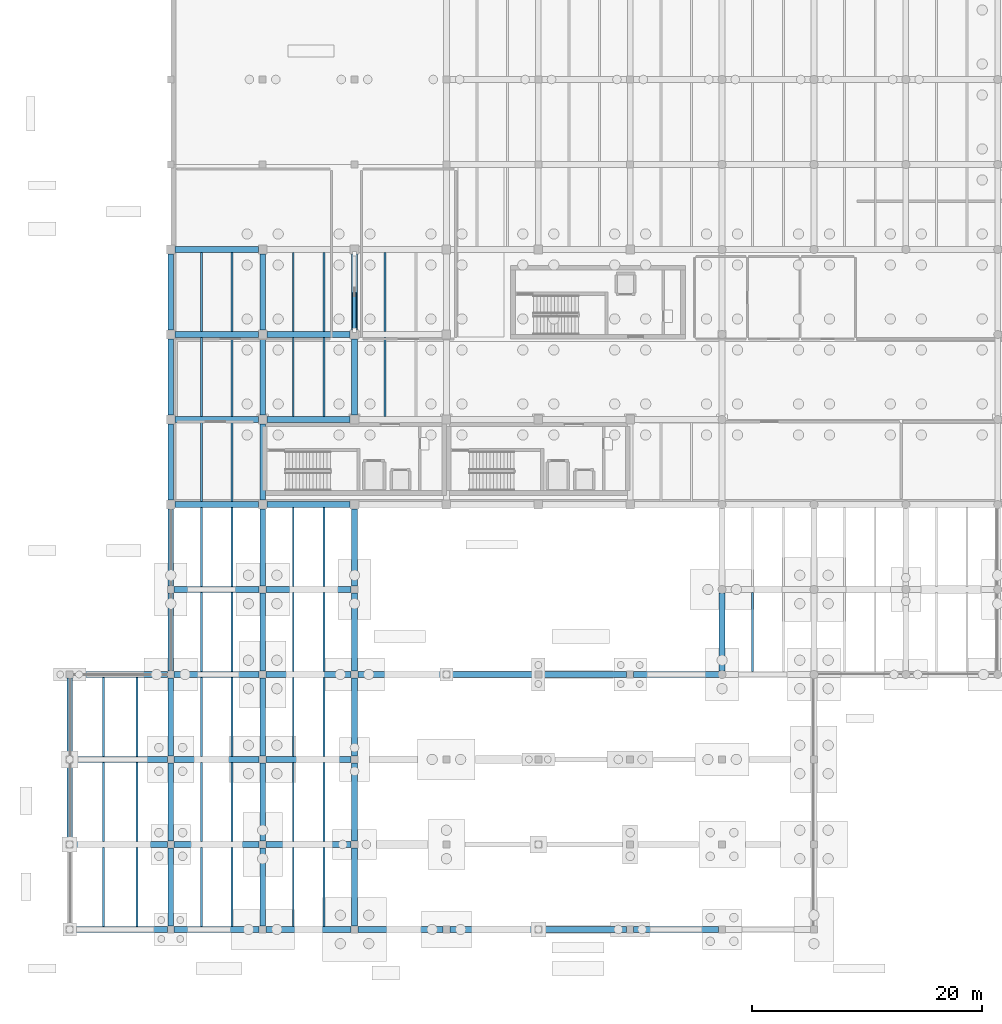
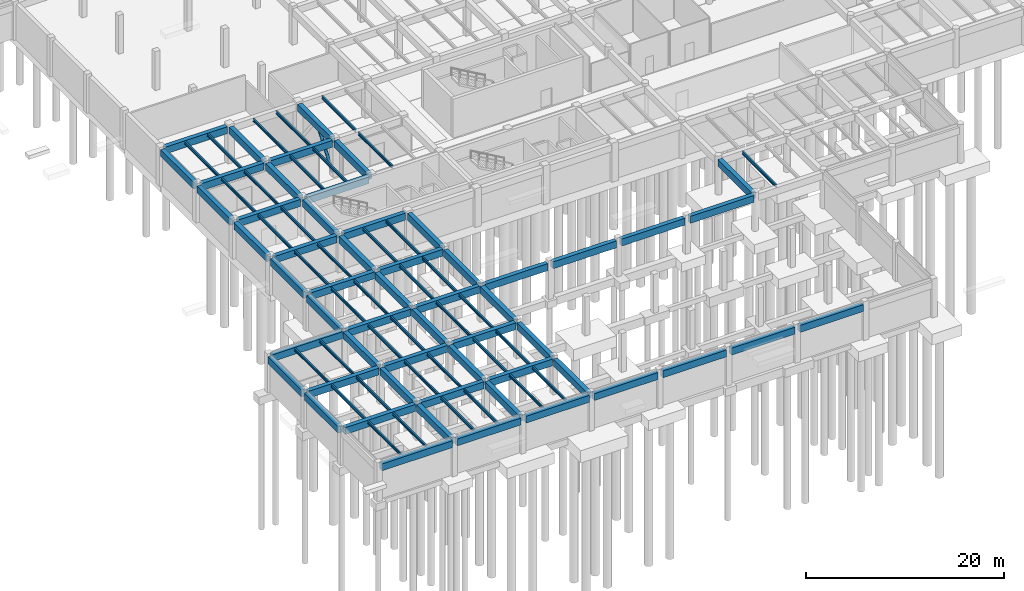
# One storey, part 9 of 40: 94 beams, 1 member.
"""IFC4 building model written with IfcOpenShell, lengths in metres."""

from ifc_helpers import new_model, si_unit, direction, frame, origin, origin_2d, place, context, subcontext, project, spatial, rectangle, hollow_circle, i_section, extrude, material, material_profile, profile_set, type_object, element, save


model = new_model("IFC4")

# Units and contexts
model_context = context("Model", 3, precision=1e-05, world=origin(), true_north=direction((0.0, 1.0)))
body_context = subcontext(model_context, "Body", "Model", "MODEL_VIEW")
ifc_project = project(units=[si_unit("LENGTHUNIT", "METRE"), si_unit("AREAUNIT", "SQUARE_METRE"), si_unit("VOLUMEUNIT", "CUBIC_METRE"), si_unit("PLANEANGLEUNIT", "RADIAN"), si_unit("MASSUNIT", "GRAM", prefix="KILO")], contexts=[model_context])

# Site, building, storey
site_placement = place(None, origin())
site = spatial("IfcSite", under=ifc_project, at=site_placement, CompositionType="ELEMENT")
building_placement = place(site_placement, origin())
building = spatial("IfcBuilding", under=site, at=building_placement, Name="Valkorina Park Police Headquarters", CompositionType="ELEMENT")
storey_placement = place(building_placement, frame((0.0, 0.0, -4.800048828125)))
storey = spatial("IfcBuildingStorey", under=building, at=storey_placement, Name="B01", CompositionType="ELEMENT", Elevation=-4.800048828125)

# Beams
ifc_material_1 = material(Name="Concrete C40/50", Category="concrete")
ifc_material_profile_1 = material_profile(ifc_material_1, rectangle(XDim=0.5, YDim=0.85009765625, at=origin_2d()), Name="RC BEAM 500x850")
ifc_profile_set_1 = profile_set([ifc_material_profile_1], Name="Concrete C40/50")
beam_type_1 = type_object("IfcBeamType", Name="BM-RC-500x850-EXT", PredefinedType="SPANDREL", material=ifc_profile_set_1)
beam_1_placement = place(storey_placement, frame((0.300048828125, 0.0, 4.025146484375), z_axis=(1.0, 0.0, 0.0), x_axis=(0.0, 1.0, 0.0)))
element("IfcBeam", 1, at=beam_1_placement, inside=storey, type_object=beam_type_1, Name="B01 Framing Beam 0001", PredefinedType="SPANDREL", context=body_context, shape_type="SweptSolid", body=[
    extrude(rectangle(XDim=0.5, YDim=0.85009765625, at=origin_2d()), origin(), (0.0, 0.0, 1.0), 8.199951171875),
])
for number, where, z_axis, x_axis, name in (
    (2, (9.10009765625, 0.0, 4.025146484375), (1.0, 0.0, 0.0), (0.0, 1.0, 0.0), "B01 Framing Beam 0002"),
    (3, (17.10009765625, 0.0, 4.025146484375), (1.0, 0.0, 0.0), (0.0, 1.0, 0.0), "B01 Framing Beam 0003"),
    (4, (25.10009765625, 0.0, 4.025146484375), (1.0, 0.0, 0.0), (0.0, 1.0, 0.0), "B01 Framing Beam 0004"),
    (5, (33.10009765625, 0.0, 4.025146484375), (1.0, 0.0, 0.0), (0.0, 1.0, 0.0), "B01 Framing Beam 0005"),
    (6, (41.10009765625, 0.0, 4.025146484375), (1.0, 0.0, 0.0), (0.0, 1.0, 0.0), "B01 Framing Beam 0006"),
    (7, (49.10009765625, 0.0, 4.025146484375), (1.0, 0.0, 0.0), (0.0, 1.0, 0.0), "B01 Framing Beam 0007"),
):
    element("IfcBeam", number, at=place(storey_placement, frame(where, z_axis=z_axis, x_axis=x_axis)), inside=storey, type_object=beam_type_1, Name=name, PredefinedType="SPANDREL", context=body_context, shape_type="SweptSolid", body=[
        extrude(rectangle(XDim=0.5, YDim=0.85009765625, at=origin_2d()), origin(), (0.0, 0.0, 1.0), 7.39990234375),
    ])
beam_2_placement = place(storey_placement, frame((0.300048828125, 22.199951171875, 4.025146484375), z_axis=(1.0, 0.0, 0.0), x_axis=(0.0, 1.0, 0.0)))
element("IfcBeam", 8, at=beam_2_placement, inside=storey, type_object=beam_type_1, Name="B01 Framing Beam 0021", PredefinedType="SPANDREL", context=body_context, shape_type="SweptSolid", body=[
    extrude(rectangle(XDim=0.5, YDim=0.85009765625, at=origin_2d()), origin(), (0.0, 0.0, 1.0), 8.199951171875),
])
for number, where, z_axis, x_axis, name in (
    (9, (25.10009765625, 22.199951171875, 4.025146484375), (1.0, 0.0, 0.0), (0.0, 1.0, 0.0), "B01 Framing Beam 0024"),
    (10, (33.10009765625, 22.199951171875, 4.025146484375), (1.0, 0.0, 0.0), (0.0, 1.0, 0.0), "B01 Framing Beam 0025"),
    (11, (41.10009765625, 22.199951171875, 4.025146484375), (1.0, 0.0, 0.0), (0.0, 1.0, 0.0), "B01 Framing Beam 0026"),
):
    element("IfcBeam", number, at=place(storey_placement, frame(where, z_axis=z_axis, x_axis=x_axis)), inside=storey, type_object=beam_type_1, Name=name, PredefinedType="SPANDREL", context=body_context, shape_type="SweptSolid", body=[
        extrude(rectangle(XDim=0.5, YDim=0.85009765625, at=origin_2d()), origin(), (0.0, 0.0, 1.0), 7.39990234375),
    ])
beam_3_placement = place(storey_placement, frame((49.10009765625, 22.199951171875, 4.025146484375), z_axis=(1.0, 0.0, 0.0), x_axis=(0.0, 1.0, 0.0)))
element("IfcBeam", 12, at=beam_3_placement, inside=storey, type_object=beam_type_1, Name="B01 Framing Beam 0027", PredefinedType="SPANDREL", context=body_context, shape_type="SweptSolid", body=[
    extrude(rectangle(XDim=0.5, YDim=0.85009765625, at=origin_2d()), origin(), (0.0, 0.0, 1.0), 7.455078125),
])
beam_4_placement = place(storey_placement, frame((9.175048828125, 59.199951171875, 4.114990234375), z_axis=(1.0, 0.0, 0.0), x_axis=(0.0, 1.0, 0.0)))
element("IfcBeam", 13, at=beam_4_placement, inside=storey, type_object=beam_type_1, Name="B01 Framing Beam 0084", PredefinedType="SPANDREL", context=body_context, shape_type="SweptSolid", body=[
    extrude(rectangle(XDim=0.5, YDim=0.85009765625, at=origin_2d()), origin(), (0.0, 0.0, 1.0), 7.25),
])
beam_5_placement = place(storey_placement, frame((0.0, 7.699951171875, 4.025146484375), z_axis=(0.0, 1.0, 0.0), x_axis=(-1.0, 0.0, 0.0)))
element("IfcBeam", 14, at=beam_5_placement, inside=storey, type_object=beam_type_1, Name="B01 Framing Beam 0214", PredefinedType="SPANDREL", context=body_context, shape_type="SweptSolid", body=[
    extrude(rectangle(XDim=0.5, YDim=0.85009765625, at=origin_2d()), origin(), (0.0, 0.0, 1.0), 6.800048828125),
])
beam_6_placement = place(storey_placement, frame((0.0, 15.10009765625, 4.025146484375), z_axis=(0.0, 1.0, 0.0), x_axis=(-1.0, 0.0, 0.0)))
element("IfcBeam", 15, at=beam_6_placement, inside=storey, type_object=beam_type_1, Name="B01 Framing Beam 0217", PredefinedType="SPANDREL", context=body_context, shape_type="SweptSolid", body=[
    extrude(rectangle(XDim=0.5, YDim=0.85009765625, at=origin_2d()), origin(), (0.0, 0.0, 1.0), 6.7998046875),
])
beam_7_placement = place(storey_placement, frame((8.800048828125, 22.5, 4.025146484375), z_axis=(0.0, 1.0, 0.0), x_axis=(-1.0, 0.0, 0.0)))
element("IfcBeam", 16, at=beam_7_placement, inside=storey, type_object=beam_type_1, Name="B01 Framing Beam 0238", PredefinedType="SPANDREL", context=body_context, shape_type="SweptSolid", body=[
    extrude(rectangle(XDim=0.5, YDim=0.85009765625, at=origin_2d()), origin(), (0.0, 0.0, 1.0), 6.800048828125),
])
beam_8_placement = place(storey_placement, frame((8.800048828125, 29.89990234375, 4.114990234375), z_axis=(0.0, 1.0, 0.0), x_axis=(-1.0, 0.0, 0.0)))
element("IfcBeam", 17, at=beam_8_placement, inside=storey, type_object=beam_type_1, Name="B01 Framing Beam 0241", PredefinedType="SPANDREL", context=body_context, shape_type="SweptSolid", body=[
    extrude(rectangle(XDim=0.5, YDim=0.85009765625, at=origin_2d()), origin(), (0.0, 0.0, 1.0), 6.72509765625),
])
beam_9_placement = place(storey_placement, frame((8.800048828125, 37.375, 4.114990234375), z_axis=(0.0, 1.0, 0.0), x_axis=(-1.0, 0.0, 0.0)))
element("IfcBeam", 18, at=beam_9_placement, inside=storey, type_object=beam_type_1, Name="B01 Framing Beam 0244", PredefinedType="SPANDREL", context=body_context, shape_type="SweptSolid", body=[
    extrude(rectangle(XDim=0.5, YDim=0.85009765625, at=origin_2d()), origin(), (0.0, 0.0, 1.0), 6.64990234375),
])
beam_10_placement = place(storey_placement, frame((8.800048828125, 44.77490234375, 4.114990234375), z_axis=(0.0, 1.0, 0.0), x_axis=(-1.0, 0.0, 0.0)))
element("IfcBeam", 19, at=beam_10_placement, inside=storey, type_object=beam_type_1, Name="B01 Framing Beam 0247", PredefinedType="SPANDREL", context=body_context, shape_type="SweptSolid", body=[
    extrude(rectangle(XDim=0.5, YDim=0.85009765625, at=origin_2d()), origin(), (0.0, 0.0, 1.0), 6.650146484375),
])
beam_11_placement = place(storey_placement, frame((8.800048828125, 52.175048828125, 4.114990234375), z_axis=(0.0, 1.0, 0.0), x_axis=(-1.0, 0.0, 0.0)))
element("IfcBeam", 20, at=beam_11_placement, inside=storey, type_object=beam_type_1, Name="B01 Framing Beam 0250", PredefinedType="SPANDREL", context=body_context, shape_type="SweptSolid", body=[
    extrude(rectangle(XDim=0.5, YDim=0.85009765625, at=origin_2d()), origin(), (0.0, 0.0, 1.0), 6.64990234375),
])
beam_12_placement = place(storey_placement, frame((24.800048828125, 22.5, 4.025146484375), z_axis=(0.0, 1.0, 0.0), x_axis=(-1.0, 0.0, 0.0)))
element("IfcBeam", 21, at=beam_12_placement, inside=storey, type_object=beam_type_1, Name="B01 Framing Beam 0296", PredefinedType="SPANDREL", context=body_context, shape_type="SweptSolid", body=[
    extrude(rectangle(XDim=0.5, YDim=0.85009765625, at=origin_2d()), origin(), (0.0, 0.0, 1.0), 6.800048828125),
])
beam_13_placement = place(storey_placement, frame((24.800048828125, 29.89990234375, 4.114990234375), z_axis=(0.0, 1.0, 0.0), x_axis=(-1.0, 0.0, 0.0)))
element("IfcBeam", 22, at=beam_13_placement, inside=storey, type_object=beam_type_1, Name="B01 Framing Beam 0297", PredefinedType="SPANDREL", context=body_context, shape_type="SweptSolid", body=[
    extrude(rectangle(XDim=0.5, YDim=0.85009765625, at=origin_2d()), origin(), (0.0, 0.0, 1.0), 6.72509765625),
])
beam_14_placement = place(storey_placement, frame((56.800048828125, 22.51611328125, 4.025146484375), z_axis=(0.0, 1.0, 0.0), x_axis=(-1.0, 0.0, 0.0)))
element("IfcBeam", 23, at=beam_14_placement, inside=storey, type_object=beam_type_1, Name="B01 Framing Beam 0355", PredefinedType="SPANDREL", context=body_context, shape_type="SweptSolid", body=[
    extrude(rectangle(XDim=0.5, YDim=0.85009765625, at=origin_2d()), origin(), (0.0, 0.0, 1.0), 6.767578125),
])
ifc_material_profile_2 = material_profile(ifc_material_1, rectangle(XDim=0.5, YDim=0.85009765625, at=origin_2d()), Name="RC BEAM 500x850")
ifc_profile_set_2 = profile_set([ifc_material_profile_2], Name="Concrete C40/50")
beam_type_2 = type_object("IfcBeamType", Name="BM-RC-500x850-INT", PredefinedType="BEAM", material=ifc_profile_set_2)
beam_15_placement = place(storey_placement, frame((0.300048828125, 7.39990234375, 4.025146484375), z_axis=(1.0, 0.0, 0.0), x_axis=(0.0, 1.0, 0.0)))
element("IfcBeam", 24, at=beam_15_placement, inside=storey, type_object=beam_type_2, Name="B01 Framing Beam 0009", PredefinedType="BEAM", context=body_context, shape_type="SweptSolid", body=[
    extrude(rectangle(XDim=0.5, YDim=0.85009765625, at=origin_2d()), origin(), (0.0, 0.0, 1.0), 8.199951171875),
])
for number, where, z_axis, x_axis, name in (
    (25, (9.10009765625, 7.39990234375, 4.025146484375), (1.0, 0.0, 0.0), (0.0, 1.0, 0.0), "B01 Framing Beam 0010"),
    (26, (17.10009765625, 7.39990234375, 4.025146484375), (1.0, 0.0, 0.0), (0.0, 1.0, 0.0), "B01 Framing Beam 0011"),
):
    element("IfcBeam", number, at=place(storey_placement, frame(where, z_axis=z_axis, x_axis=x_axis)), inside=storey, type_object=beam_type_2, Name=name, PredefinedType="BEAM", context=body_context, shape_type="SweptSolid", body=[
        extrude(rectangle(XDim=0.5, YDim=0.85009765625, at=origin_2d()), origin(), (0.0, 0.0, 1.0), 7.39990234375),
    ])
beam_16_placement = place(storey_placement, frame((0.300048828125, 14.800048828125, 4.025146484375), z_axis=(1.0, 0.0, 0.0), x_axis=(0.0, 1.0, 0.0)))
element("IfcBeam", 27, at=beam_16_placement, inside=storey, type_object=beam_type_2, Name="B01 Framing Beam 0015", PredefinedType="BEAM", context=body_context, shape_type="SweptSolid", body=[
    extrude(rectangle(XDim=0.5, YDim=0.85009765625, at=origin_2d()), origin(), (0.0, 0.0, 1.0), 8.199951171875),
])
for number, where, z_axis, x_axis, name in (
    (28, (9.10009765625, 14.800048828125, 4.025146484375), (1.0, 0.0, 0.0), (0.0, 1.0, 0.0), "B01 Framing Beam 0016"),
    (29, (17.10009765625, 14.800048828125, 4.025146484375), (1.0, 0.0, 0.0), (0.0, 1.0, 0.0), "B01 Framing Beam 0017"),
    (30, (9.10009765625, 22.199951171875, 4.025146484375), (1.0, 0.0, 0.0), (0.0, 1.0, 0.0), "B01 Framing Beam 0022"),
    (31, (17.10009765625, 22.199951171875, 4.025146484375), (1.0, 0.0, 0.0), (0.0, 1.0, 0.0), "B01 Framing Beam 0023"),
    (32, (9.10009765625, 29.60009765625, 4.114990234375), (1.0, 0.0, 0.0), (0.0, 1.0, 0.0), "B01 Framing Beam 0034"),
    (33, (17.10009765625, 29.60009765625, 4.114990234375), (1.0, 0.0, 0.0), (0.0, 1.0, 0.0), "B01 Framing Beam 0035"),
):
    element("IfcBeam", number, at=place(storey_placement, frame(where, z_axis=z_axis, x_axis=x_axis)), inside=storey, type_object=beam_type_2, Name=name, PredefinedType="BEAM", context=body_context, shape_type="SweptSolid", body=[
        extrude(rectangle(XDim=0.5, YDim=0.85009765625, at=origin_2d()), origin(), (0.0, 0.0, 1.0), 7.39990234375),
    ])
for number, where, z_axis, x_axis, name in (
    (34, (9.175048828125, 37.0, 4.114990234375), (1.0, 0.0, 0.0), (0.0, 1.0, 0.0), "B01 Framing Beam 0042"),
    (35, (17.175048828125, 37.0, 4.114990234375), (1.0, 0.0, 0.0), (0.0, 1.0, 0.0), "B01 Framing Beam 0043"),
    (36, (9.175048828125, 44.39990234375, 4.114990234375), (1.0, 0.0, 0.0), (0.0, 1.0, 0.0), "B01 Framing Beam 0059"),
    (37, (17.175048828125, 44.39990234375, 4.114990234375), (1.0, 0.0, 0.0), (0.0, 1.0, 0.0), "B01 Framing Beam 0060"),
    (38, (9.175048828125, 51.800048828125, 4.114990234375), (1.0, 0.0, 0.0), (0.0, 1.0, 0.0), "B01 Framing Beam 0073"),
    (39, (17.175048828125, 51.800048828125, 4.114990234375), (1.0, 0.0, 0.0), (0.0, 1.0, 0.0), "B01 Framing Beam 0074"),
):
    element("IfcBeam", number, at=place(storey_placement, frame(where, z_axis=z_axis, x_axis=x_axis)), inside=storey, type_object=beam_type_2, Name=name, PredefinedType="BEAM", context=body_context, shape_type="SweptSolid", body=[
        extrude(rectangle(XDim=0.5, YDim=0.85009765625, at=origin_2d()), origin(), (0.0, 0.0, 1.0), 7.25),
    ])
for number, where, z_axis, x_axis, name in (
    (40, (8.800048828125, 0.300048828125, 4.025146484375), (0.0, 1.0, 0.0), (-1.0, 0.0, 0.0), "B01 Framing Beam 0229"),
    (41, (8.800048828125, 7.699951171875, 4.025146484375), (0.0, 1.0, 0.0), (-1.0, 0.0, 0.0), "B01 Framing Beam 0232"),
):
    element("IfcBeam", number, at=place(storey_placement, frame(where, z_axis=z_axis, x_axis=x_axis)), inside=storey, type_object=beam_type_2, Name=name, PredefinedType="BEAM", context=body_context, shape_type="SweptSolid", body=[
        extrude(rectangle(XDim=0.5, YDim=0.85009765625, at=origin_2d()), origin(), (0.0, 0.0, 1.0), 6.800048828125),
    ])
beam_17_placement = place(storey_placement, frame((8.800048828125, 15.10009765625, 4.025146484375), z_axis=(0.0, 1.0, 0.0), x_axis=(-1.0, 0.0, 0.0)))
element("IfcBeam", 42, at=beam_17_placement, inside=storey, type_object=beam_type_2, Name="B01 Framing Beam 0235", PredefinedType="BEAM", context=body_context, shape_type="SweptSolid", body=[
    extrude(rectangle(XDim=0.5, YDim=0.85009765625, at=origin_2d()), origin(), (0.0, 0.0, 1.0), 6.7998046875),
])
for number, where, z_axis, x_axis, name in (
    (43, (16.800048828125, 0.300048828125, 4.025146484375), (0.0, 1.0, 0.0), (-1.0, 0.0, 0.0), "B01 Framing Beam 0262"),
    (44, (16.800048828125, 7.699951171875, 4.025146484375), (0.0, 1.0, 0.0), (-1.0, 0.0, 0.0), "B01 Framing Beam 0265"),
):
    element("IfcBeam", number, at=place(storey_placement, frame(where, z_axis=z_axis, x_axis=x_axis)), inside=storey, type_object=beam_type_2, Name=name, PredefinedType="BEAM", context=body_context, shape_type="SweptSolid", body=[
        extrude(rectangle(XDim=0.5, YDim=0.85009765625, at=origin_2d()), origin(), (0.0, 0.0, 1.0), 6.800048828125),
    ])
beam_18_placement = place(storey_placement, frame((16.800048828125, 15.10009765625, 4.025146484375), z_axis=(0.0, 1.0, 0.0), x_axis=(-1.0, 0.0, 0.0)))
element("IfcBeam", 45, at=beam_18_placement, inside=storey, type_object=beam_type_2, Name="B01 Framing Beam 0268", PredefinedType="BEAM", context=body_context, shape_type="SweptSolid", body=[
    extrude(rectangle(XDim=0.5, YDim=0.85009765625, at=origin_2d()), origin(), (0.0, 0.0, 1.0), 6.7998046875),
])
beam_19_placement = place(storey_placement, frame((16.800048828125, 22.5, 4.025146484375), z_axis=(0.0, 1.0, 0.0), x_axis=(-1.0, 0.0, 0.0)))
element("IfcBeam", 46, at=beam_19_placement, inside=storey, type_object=beam_type_2, Name="B01 Framing Beam 0271", PredefinedType="BEAM", context=body_context, shape_type="SweptSolid", body=[
    extrude(rectangle(XDim=0.5, YDim=0.85009765625, at=origin_2d()), origin(), (0.0, 0.0, 1.0), 6.800048828125),
])
beam_20_placement = place(storey_placement, frame((16.800048828125, 29.89990234375, 4.114990234375), z_axis=(0.0, 1.0, 0.0), x_axis=(-1.0, 0.0, 0.0)))
element("IfcBeam", 47, at=beam_20_placement, inside=storey, type_object=beam_type_2, Name="B01 Framing Beam 0274", PredefinedType="BEAM", context=body_context, shape_type="SweptSolid", body=[
    extrude(rectangle(XDim=0.5, YDim=0.85009765625, at=origin_2d()), origin(), (0.0, 0.0, 1.0), 6.72509765625),
])
beam_21_placement = place(storey_placement, frame((16.800048828125, 37.375, 4.114990234375), z_axis=(0.0, 1.0, 0.0), x_axis=(-1.0, 0.0, 0.0)))
element("IfcBeam", 48, at=beam_21_placement, inside=storey, type_object=beam_type_2, Name="B01 Framing Beam 0277", PredefinedType="BEAM", context=body_context, shape_type="SweptSolid", body=[
    extrude(rectangle(XDim=0.5, YDim=0.85009765625, at=origin_2d()), origin(), (0.0, 0.0, 1.0), 6.64990234375),
])
beam_22_placement = place(storey_placement, frame((16.800048828125, 44.77490234375, 4.114990234375), z_axis=(0.0, 1.0, 0.0), x_axis=(-1.0, 0.0, 0.0)))
element("IfcBeam", 49, at=beam_22_placement, inside=storey, type_object=beam_type_2, Name="B01 Framing Beam 0278", PredefinedType="BEAM", context=body_context, shape_type="SweptSolid", body=[
    extrude(rectangle(XDim=0.5, YDim=0.85009765625, at=origin_2d()), origin(), (0.0, 0.0, 1.0), 6.650146484375),
])
beam_23_placement = place(storey_placement, frame((16.800048828125, 52.175048828125, 4.114990234375), z_axis=(0.0, 1.0, 0.0), x_axis=(-1.0, 0.0, 0.0)))
element("IfcBeam", 50, at=beam_23_placement, inside=storey, type_object=beam_type_2, Name="B01 Framing Beam 0281", PredefinedType="BEAM", context=body_context, shape_type="SweptSolid", body=[
    extrude(rectangle(XDim=0.5, YDim=0.85009765625, at=origin_2d()), origin(), (0.0, 0.0, 1.0), 6.64990234375),
])
for number, where, z_axis, x_axis, name in (
    (51, (24.800048828125, 0.300048828125, 4.025146484375), (0.0, 1.0, 0.0), (-1.0, 0.0, 0.0), "B01 Framing Beam 0293"),
    (52, (24.800048828125, 7.699951171875, 4.025146484375), (0.0, 1.0, 0.0), (-1.0, 0.0, 0.0), "B01 Framing Beam 0294"),
):
    element("IfcBeam", number, at=place(storey_placement, frame(where, z_axis=z_axis, x_axis=x_axis)), inside=storey, type_object=beam_type_2, Name=name, PredefinedType="BEAM", context=body_context, shape_type="SweptSolid", body=[
        extrude(rectangle(XDim=0.5, YDim=0.85009765625, at=origin_2d()), origin(), (0.0, 0.0, 1.0), 6.800048828125),
    ])
beam_24_placement = place(storey_placement, frame((24.800048828125, 15.10009765625, 4.025146484375), z_axis=(0.0, 1.0, 0.0), x_axis=(-1.0, 0.0, 0.0)))
element("IfcBeam", 53, at=beam_24_placement, inside=storey, type_object=beam_type_2, Name="B01 Framing Beam 0295", PredefinedType="BEAM", context=body_context, shape_type="SweptSolid", body=[
    extrude(rectangle(XDim=0.5, YDim=0.85009765625, at=origin_2d()), origin(), (0.0, 0.0, 1.0), 6.7998046875),
])
beam_25_placement = place(storey_placement, frame((24.800048828125, 44.77490234375, 4.114990234375), z_axis=(0.0, 1.0, 0.0), x_axis=(-1.0, 0.0, 0.0)))
element("IfcBeam", 54, at=beam_25_placement, inside=storey, type_object=beam_type_2, Name="B01 Framing Beam 0298", PredefinedType="BEAM", context=body_context, shape_type="SweptSolid", body=[
    extrude(rectangle(XDim=0.5, YDim=0.85009765625, at=origin_2d()), origin(), (0.0, 0.0, 1.0), 6.650146484375),
])
beam_26_placement = place(storey_placement, frame((24.800048828125, 52.175048828125, 4.114990234375), z_axis=(0.0, 1.0, 0.0), x_axis=(-1.0, 0.0, 0.0)))
element("IfcBeam", 55, at=beam_26_placement, inside=storey, type_object=beam_type_2, Name="B01 Framing Beam 0301", PredefinedType="BEAM", context=body_context, shape_type="SweptSolid", body=[
    extrude(rectangle(XDim=0.5, YDim=0.85009765625, at=origin_2d()), origin(), (0.0, 0.0, 1.0), 6.64990234375),
])
ifc_material_2 = material(Name="Steel S355", Category="steel")
ifc_material_profile_3 = material_profile(ifc_material_2, i_section(OverallWidth=0.169921875, OverallDepth=0.360107421875, WebThickness=0.008056640625, FlangeThickness=0.0126953125, FilletRadius=0.01806640625, at=origin_2d()), Name="IPE 360")
ifc_profile_set_3 = profile_set([ifc_material_profile_3], Name="Steel S355")
beam_type_3 = type_object("IfcBeamType", Name="BM-S355-IPE360-JST", PredefinedType="JOIST", material=ifc_profile_set_3)
for number, where, z_axis, x_axis, name in (
    (56, (2.933349609375, 0.25, 4.27001953125), (0.0, 1.0, 0.0), (-1.0, 0.0, 0.0), "B01 Framing Beam 0212"),
    (57, (5.86669921875, 0.25, 4.27001953125), (0.0, 1.0, 0.0), (-1.0, 0.0, 0.0), "B01 Framing Beam 0213"),
):
    element("IfcBeam", number, at=place(storey_placement, frame(where, z_axis=z_axis, x_axis=x_axis)), inside=storey, type_object=beam_type_3, Name=name, PredefinedType="JOIST", context=body_context, shape_type="SweptSolid", body=[
        extrude(i_section(OverallWidth=0.169921875, OverallDepth=0.360107421875, WebThickness=0.008056640625, FlangeThickness=0.0126953125, FilletRadius=0.01806640625, at=origin_2d()), origin(), (0.0, 0.0, 1.0), 6.89990234375),
    ])
for number, where, z_axis, x_axis, name in (
    (58, (2.933349609375, 7.64990234375, 4.27001953125), (0.0, 1.0, 0.0), (-1.0, 0.0, 0.0), "B01 Framing Beam 0215"),
    (59, (5.86669921875, 7.64990234375, 4.27001953125), (0.0, 1.0, 0.0), (-1.0, 0.0, 0.0), "B01 Framing Beam 0216"),
):
    element("IfcBeam", number, at=place(storey_placement, frame(where, z_axis=z_axis, x_axis=x_axis)), inside=storey, type_object=beam_type_3, Name=name, PredefinedType="JOIST", context=body_context, shape_type="SweptSolid", body=[
        extrude(i_section(OverallWidth=0.169921875, OverallDepth=0.360107421875, WebThickness=0.008056640625, FlangeThickness=0.0126953125, FilletRadius=0.01806640625, at=origin_2d()), origin(), (0.0, 0.0, 1.0), 6.900146484375),
    ])
for number, where, z_axis, x_axis, name in (
    (60, (2.933349609375, 15.050048828125, 4.27001953125), (0.0, 1.0, 0.0), (-1.0, 0.0, 0.0), "B01 Framing Beam 0218"),
    (61, (5.86669921875, 15.050048828125, 4.27001953125), (0.0, 1.0, 0.0), (-1.0, 0.0, 0.0), "B01 Framing Beam 0219"),
    (62, (11.466796875, 0.25, 4.27001953125), (0.0, 1.0, 0.0), (-1.0, 0.0, 0.0), "B01 Framing Beam 0230"),
    (63, (14.13330078125, 0.25, 4.27001953125), (0.0, 1.0, 0.0), (-1.0, 0.0, 0.0), "B01 Framing Beam 0231"),
):
    element("IfcBeam", number, at=place(storey_placement, frame(where, z_axis=z_axis, x_axis=x_axis)), inside=storey, type_object=beam_type_3, Name=name, PredefinedType="JOIST", context=body_context, shape_type="SweptSolid", body=[
        extrude(i_section(OverallWidth=0.169921875, OverallDepth=0.360107421875, WebThickness=0.008056640625, FlangeThickness=0.0126953125, FilletRadius=0.01806640625, at=origin_2d()), origin(), (0.0, 0.0, 1.0), 6.89990234375),
    ])
for number, where, z_axis, x_axis, name in (
    (64, (11.466796875, 7.64990234375, 4.27001953125), (0.0, 1.0, 0.0), (-1.0, 0.0, 0.0), "B01 Framing Beam 0233"),
    (65, (14.13330078125, 7.64990234375, 4.27001953125), (0.0, 1.0, 0.0), (-1.0, 0.0, 0.0), "B01 Framing Beam 0234"),
):
    element("IfcBeam", number, at=place(storey_placement, frame(where, z_axis=z_axis, x_axis=x_axis)), inside=storey, type_object=beam_type_3, Name=name, PredefinedType="JOIST", context=body_context, shape_type="SweptSolid", body=[
        extrude(i_section(OverallWidth=0.169921875, OverallDepth=0.360107421875, WebThickness=0.008056640625, FlangeThickness=0.0126953125, FilletRadius=0.01806640625, at=origin_2d()), origin(), (0.0, 0.0, 1.0), 6.900146484375),
    ])
for number, where, z_axis, x_axis, name in (
    (66, (11.466796875, 15.050048828125, 4.27001953125), (0.0, 1.0, 0.0), (-1.0, 0.0, 0.0), "B01 Framing Beam 0236"),
    (67, (14.13330078125, 15.050048828125, 4.27001953125), (0.0, 1.0, 0.0), (-1.0, 0.0, 0.0), "B01 Framing Beam 0237"),
):
    element("IfcBeam", number, at=place(storey_placement, frame(where, z_axis=z_axis, x_axis=x_axis)), inside=storey, type_object=beam_type_3, Name=name, PredefinedType="JOIST", context=body_context, shape_type="SweptSolid", body=[
        extrude(i_section(OverallWidth=0.169921875, OverallDepth=0.360107421875, WebThickness=0.008056640625, FlangeThickness=0.0126953125, FilletRadius=0.01806640625, at=origin_2d()), origin(), (0.0, 0.0, 1.0), 6.89990234375),
    ])
for number, where, z_axis, x_axis, name in (
    (68, (11.466796875, 22.449951171875, 4.27001953125), (0.0, 1.0, 0.0), (-1.0, 0.0, 0.0), "B01 Framing Beam 0239"),
    (69, (14.13330078125, 22.449951171875, 4.27001953125), (0.0, 1.0, 0.0), (-1.0, 0.0, 0.0), "B01 Framing Beam 0240"),
):
    element("IfcBeam", number, at=place(storey_placement, frame(where, z_axis=z_axis, x_axis=x_axis)), inside=storey, type_object=beam_type_3, Name=name, PredefinedType="JOIST", context=body_context, shape_type="SweptSolid", body=[
        extrude(i_section(OverallWidth=0.169921875, OverallDepth=0.360107421875, WebThickness=0.008056640625, FlangeThickness=0.0126953125, FilletRadius=0.01806640625, at=origin_2d()), origin(), (0.0, 0.0, 1.0), 6.900146484375),
    ])
for number, where, z_axis, x_axis, name in (
    (70, (11.466796875, 29.85009765625, 4.360107421875), (0.0, 1.0, 0.0), (-1.0, 0.0, 0.0), "B01 Framing Beam 0242"),
    (71, (14.13330078125, 29.85009765625, 4.360107421875), (0.0, 1.0, 0.0), (-1.0, 0.0, 0.0), "B01 Framing Beam 0243"),
    (72, (11.466796875, 37.25, 4.360107421875), (0.0, 1.0, 0.0), (-1.0, 0.0, 0.0), "B01 Framing Beam 0245"),
    (73, (14.13330078125, 37.25, 4.360107421875), (0.0, 1.0, 0.0), (-1.0, 0.0, 0.0), "B01 Framing Beam 0246"),
):
    element("IfcBeam", number, at=place(storey_placement, frame(where, z_axis=z_axis, x_axis=x_axis)), inside=storey, type_object=beam_type_3, Name=name, PredefinedType="JOIST", context=body_context, shape_type="SweptSolid", body=[
        extrude(i_section(OverallWidth=0.169921875, OverallDepth=0.360107421875, WebThickness=0.008056640625, FlangeThickness=0.0126953125, FilletRadius=0.01806640625, at=origin_2d()), origin(), (0.0, 0.0, 1.0), 6.89990234375),
    ])
for number, where, z_axis, x_axis, name in (
    (74, (11.466796875, 44.64990234375, 4.360107421875), (0.0, 1.0, 0.0), (-1.0, 0.0, 0.0), "B01 Framing Beam 0248"),
    (75, (14.13330078125, 44.64990234375, 4.360107421875), (0.0, 1.0, 0.0), (-1.0, 0.0, 0.0), "B01 Framing Beam 0249"),
):
    element("IfcBeam", number, at=place(storey_placement, frame(where, z_axis=z_axis, x_axis=x_axis)), inside=storey, type_object=beam_type_3, Name=name, PredefinedType="JOIST", context=body_context, shape_type="SweptSolid", body=[
        extrude(i_section(OverallWidth=0.169921875, OverallDepth=0.360107421875, WebThickness=0.008056640625, FlangeThickness=0.0126953125, FilletRadius=0.01806640625, at=origin_2d()), origin(), (0.0, 0.0, 1.0), 6.900146484375),
    ])
for number, where, z_axis, x_axis, name in (
    (76, (11.466796875, 52.050048828125, 4.360107421875), (0.0, 1.0, 0.0), (-1.0, 0.0, 0.0), "B01 Framing Beam 0251"),
    (77, (14.13330078125, 52.050048828125, 4.360107421875), (0.0, 1.0, 0.0), (-1.0, 0.0, 0.0), "B01 Framing Beam 0252"),
    (78, (19.466796875, 0.25, 4.27001953125), (0.0, 1.0, 0.0), (-1.0, 0.0, 0.0), "B01 Framing Beam 0263"),
    (79, (22.13330078125, 0.25, 4.27001953125), (0.0, 1.0, 0.0), (-1.0, 0.0, 0.0), "B01 Framing Beam 0264"),
):
    element("IfcBeam", number, at=place(storey_placement, frame(where, z_axis=z_axis, x_axis=x_axis)), inside=storey, type_object=beam_type_3, Name=name, PredefinedType="JOIST", context=body_context, shape_type="SweptSolid", body=[
        extrude(i_section(OverallWidth=0.169921875, OverallDepth=0.360107421875, WebThickness=0.008056640625, FlangeThickness=0.0126953125, FilletRadius=0.01806640625, at=origin_2d()), origin(), (0.0, 0.0, 1.0), 6.89990234375),
    ])
for number, where, z_axis, x_axis, name in (
    (80, (19.466796875, 7.64990234375, 4.27001953125), (0.0, 1.0, 0.0), (-1.0, 0.0, 0.0), "B01 Framing Beam 0266"),
    (81, (22.13330078125, 7.64990234375, 4.27001953125), (0.0, 1.0, 0.0), (-1.0, 0.0, 0.0), "B01 Framing Beam 0267"),
):
    element("IfcBeam", number, at=place(storey_placement, frame(where, z_axis=z_axis, x_axis=x_axis)), inside=storey, type_object=beam_type_3, Name=name, PredefinedType="JOIST", context=body_context, shape_type="SweptSolid", body=[
        extrude(i_section(OverallWidth=0.169921875, OverallDepth=0.360107421875, WebThickness=0.008056640625, FlangeThickness=0.0126953125, FilletRadius=0.01806640625, at=origin_2d()), origin(), (0.0, 0.0, 1.0), 6.900146484375),
    ])
for number, where, z_axis, x_axis, name in (
    (82, (19.466796875, 15.050048828125, 4.27001953125), (0.0, 1.0, 0.0), (-1.0, 0.0, 0.0), "B01 Framing Beam 0269"),
    (83, (22.13330078125, 15.050048828125, 4.27001953125), (0.0, 1.0, 0.0), (-1.0, 0.0, 0.0), "B01 Framing Beam 0270"),
):
    element("IfcBeam", number, at=place(storey_placement, frame(where, z_axis=z_axis, x_axis=x_axis)), inside=storey, type_object=beam_type_3, Name=name, PredefinedType="JOIST", context=body_context, shape_type="SweptSolid", body=[
        extrude(i_section(OverallWidth=0.169921875, OverallDepth=0.360107421875, WebThickness=0.008056640625, FlangeThickness=0.0126953125, FilletRadius=0.01806640625, at=origin_2d()), origin(), (0.0, 0.0, 1.0), 6.89990234375),
    ])
for number, where, z_axis, x_axis, name in (
    (84, (19.466796875, 22.449951171875, 4.27001953125), (0.0, 1.0, 0.0), (-1.0, 0.0, 0.0), "B01 Framing Beam 0272"),
    (85, (22.13330078125, 22.449951171875, 4.27001953125), (0.0, 1.0, 0.0), (-1.0, 0.0, 0.0), "B01 Framing Beam 0273"),
):
    element("IfcBeam", number, at=place(storey_placement, frame(where, z_axis=z_axis, x_axis=x_axis)), inside=storey, type_object=beam_type_3, Name=name, PredefinedType="JOIST", context=body_context, shape_type="SweptSolid", body=[
        extrude(i_section(OverallWidth=0.169921875, OverallDepth=0.360107421875, WebThickness=0.008056640625, FlangeThickness=0.0126953125, FilletRadius=0.01806640625, at=origin_2d()), origin(), (0.0, 0.0, 1.0), 6.900146484375),
    ])
for number, where, z_axis, x_axis, name in (
    (86, (19.466796875, 29.85009765625, 4.360107421875), (0.0, 1.0, 0.0), (-1.0, 0.0, 0.0), "B01 Framing Beam 0275"),
    (87, (22.13330078125, 29.85009765625, 4.360107421875), (0.0, 1.0, 0.0), (-1.0, 0.0, 0.0), "B01 Framing Beam 0276"),
):
    element("IfcBeam", number, at=place(storey_placement, frame(where, z_axis=z_axis, x_axis=x_axis)), inside=storey, type_object=beam_type_3, Name=name, PredefinedType="JOIST", context=body_context, shape_type="SweptSolid", body=[
        extrude(i_section(OverallWidth=0.169921875, OverallDepth=0.360107421875, WebThickness=0.008056640625, FlangeThickness=0.0126953125, FilletRadius=0.01806640625, at=origin_2d()), origin(), (0.0, 0.0, 1.0), 6.89990234375),
    ])
for number, where, z_axis, x_axis, name in (
    (88, (19.466796875, 44.64990234375, 4.360107421875), (0.0, 1.0, 0.0), (-1.0, 0.0, 0.0), "B01 Framing Beam 0279"),
    (89, (22.13330078125, 44.64990234375, 4.360107421875), (0.0, 1.0, 0.0), (-1.0, 0.0, 0.0), "B01 Framing Beam 0280"),
):
    element("IfcBeam", number, at=place(storey_placement, frame(where, z_axis=z_axis, x_axis=x_axis)), inside=storey, type_object=beam_type_3, Name=name, PredefinedType="JOIST", context=body_context, shape_type="SweptSolid", body=[
        extrude(i_section(OverallWidth=0.169921875, OverallDepth=0.360107421875, WebThickness=0.008056640625, FlangeThickness=0.0126953125, FilletRadius=0.01806640625, at=origin_2d()), origin(), (0.0, 0.0, 1.0), 6.900146484375),
    ])
for number, where, z_axis, x_axis, name in (
    (90, (19.466796875, 52.050048828125, 4.360107421875), (0.0, 1.0, 0.0), (-1.0, 0.0, 0.0), "B01 Framing Beam 0282"),
    (91, (22.13330078125, 52.050048828125, 4.360107421875), (0.0, 1.0, 0.0), (-1.0, 0.0, 0.0), "B01 Framing Beam 0283"),
):
    element("IfcBeam", number, at=place(storey_placement, frame(where, z_axis=z_axis, x_axis=x_axis)), inside=storey, type_object=beam_type_3, Name=name, PredefinedType="JOIST", context=body_context, shape_type="SweptSolid", body=[
        extrude(i_section(OverallWidth=0.169921875, OverallDepth=0.360107421875, WebThickness=0.008056640625, FlangeThickness=0.0126953125, FilletRadius=0.01806640625, at=origin_2d()), origin(), (0.0, 0.0, 1.0), 6.89990234375),
    ])
beam_27_placement = place(storey_placement, frame((27.466796875, 44.64990234375, 4.360107421875), z_axis=(0.0, 1.0, 0.0), x_axis=(-1.0, 0.0, 0.0)))
element("IfcBeam", 92, at=beam_27_placement, inside=storey, type_object=beam_type_3, Name="B01 Framing Beam 0299", PredefinedType="JOIST", context=body_context, shape_type="SweptSolid", body=[
    extrude(i_section(OverallWidth=0.169921875, OverallDepth=0.360107421875, WebThickness=0.008056640625, FlangeThickness=0.0126953125, FilletRadius=0.01806640625, at=origin_2d()), origin(), (0.0, 0.0, 1.0), 6.900146484375),
])
beam_28_placement = place(storey_placement, frame((27.466796875, 52.050048828125, 4.360107421875), z_axis=(0.0, 1.0, 0.0), x_axis=(-1.0, 0.0, 0.0)))
element("IfcBeam", 93, at=beam_28_placement, inside=storey, type_object=beam_type_3, Name="B01 Framing Beam 0302", PredefinedType="JOIST", context=body_context, shape_type="SweptSolid", body=[
    extrude(i_section(OverallWidth=0.169921875, OverallDepth=0.360107421875, WebThickness=0.008056640625, FlangeThickness=0.0126953125, FilletRadius=0.01806640625, at=origin_2d()), origin(), (0.0, 0.0, 1.0), 6.89990234375),
])
beam_29_placement = place(storey_placement, frame((59.466796875, 22.449951171875, 4.27001953125), z_axis=(0.0, 1.0, 0.0), x_axis=(-1.0, 0.0, 0.0)))
element("IfcBeam", 94, at=beam_29_placement, inside=storey, type_object=beam_type_3, Name="B01 Framing Beam 0356", PredefinedType="JOIST", context=body_context, shape_type="SweptSolid", body=[
    extrude(i_section(OverallWidth=0.169921875, OverallDepth=0.360107421875, WebThickness=0.008056640625, FlangeThickness=0.0126953125, FilletRadius=0.01806640625, at=origin_2d()), origin(), (0.0, 0.0, 1.0), 6.900146484375),
])

# Member
ifc_material_profile_4 = material_profile(ifc_material_2, hollow_circle(Radius=0.177734375, WallThickness=0.01611328125, at=origin_2d()), Name="CHS 355.6x16")
ifc_profile_set_4 = profile_set([ifc_material_profile_4], Name="Steel S355")
member_type = type_object("IfcMemberType", Name="MB-S355-CHS355-BRC", PredefinedType="BRACE", material=ifc_profile_set_4)
member_placement = place(storey_placement, frame((24.800048828125, 52.175048828125, 0.10009765625), z_axis=(0.0, 0.601179081982, 0.799114329359), x_axis=(-1.0, 0.0, 0.0)))
element("IfcMember", 95, at=member_placement, inside=storey, type_object=member_type, Name="B01 Concentric Chevron Brace 001", PredefinedType="BRACE", context=body_context, shape_type="SweptSolid", body=[
    extrude(hollow_circle(Radius=0.177734375, WallThickness=0.01611328125, at=origin_2d()), origin(), (0.0, 0.0, 1.0), 5.330810546875),
])

save(model, "model.ifc")
